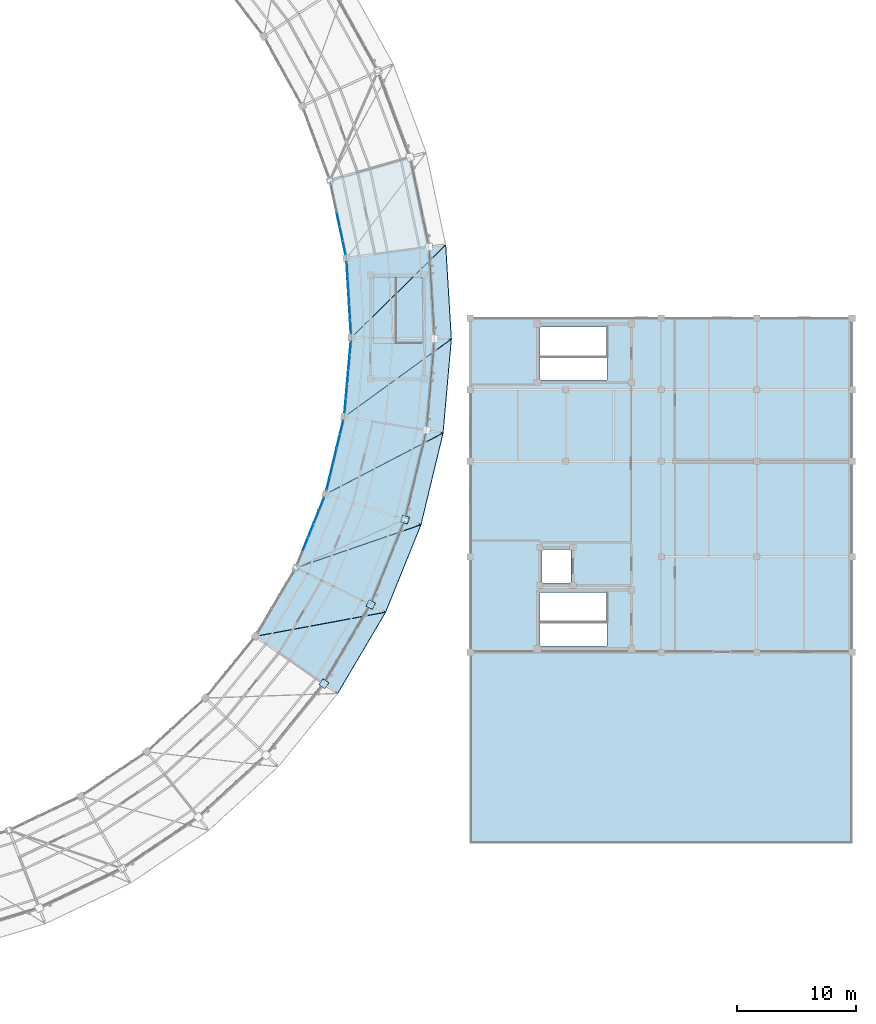
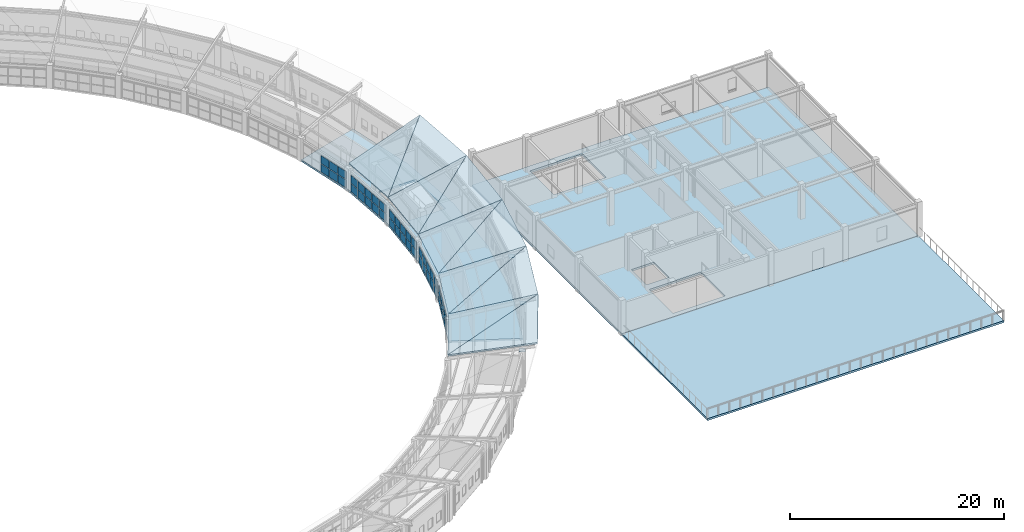
# One storey, part 110 of 149: 47 plates, 13 slabs, 5 elements without a shape of their own.
"""IFC4 building model written with IfcOpenShell, lengths in metres."""

from ifc_helpers import new_model, si_unit, direction, frame, origin, origin_2d, place, context, subcontext, project, spatial, polyline, rectangle, outline, extrude, material, layer, layer_set, type_object, element, aggregate, save


model = new_model("IFC4")

# Units and contexts
model_context = context("Model", 3, precision=1e-05, world=origin(), true_north=direction((0.0, 1.0)))
body_context = subcontext(model_context, "Body", "Model", "MODEL_VIEW")
ifc_project = project(units=[si_unit("LENGTHUNIT", "METRE"), si_unit("AREAUNIT", "SQUARE_METRE"), si_unit("VOLUMEUNIT", "CUBIC_METRE"), si_unit("PLANEANGLEUNIT", "RADIAN"), si_unit("MASSUNIT", "GRAM", prefix="KILO")], contexts=[model_context])

# Site, building, storey
site_placement = place(None, origin())
site = spatial("IfcSite", under=ifc_project, at=site_placement, CompositionType="ELEMENT")
building_placement = place(site_placement, origin())
building = spatial("IfcBuilding", under=site, at=building_placement, Name="Celadon Cloister-Ring School", CompositionType="ELEMENT")
storey_placement = place(building_placement, frame((0.0, 0.0, 12.5)))
storey = spatial("IfcBuildingStorey", under=building, at=storey_placement, Name="L03", CompositionType="ELEMENT", Elevation=12.5)

# Curtain wall, plates
ifc_material_1 = material(Name="Aluminium EN AW-6063 T6", Category="aluminium")
curtain_wall_type = type_object("IfcCurtainWallType", Name="CW-02", PredefinedType="USERDEFINED", material=ifc_material_1)
curtain_wall_1_placement = place(storey_placement, origin())
curtain_wall_1 = element("IfcCurtainWall", 1, at=curtain_wall_1_placement, inside=storey, type_object=curtain_wall_type, Name="Curtain Wall 0069", ObjectType="CURTAIN WALL", PredefinedType="USERDEFINED")
ifc_material_2 = material(Name="Tempered laminated insulating glass", Category="glass")
ifc_layer_1 = layer(ifc_material_2, 0.035888671875)
ifc_layer_set_1 = layer_set([ifc_layer_1], Name="Tempered laminated insulating glass")
plate_type_1 = type_object("IfcPlateType", Name="CPN-03", PredefinedType="CURTAIN_PANEL", material=ifc_layer_set_1)
plate_1_placement = place(storey_placement, frame((128.141357421875, 41.033203125, 0.074951171875), z_axis=(0.0, 0.0, 1.0), x_axis=(0.37497175447, 0.927036236266, 0.0)))
plate_1 = element("IfcPlate", 2, at=plate_1_placement, type_object=plate_type_1, Name="CW-02 panel 2.1", PredefinedType="CURTAIN_PANEL", context=body_context, shape_type="SweptSolid", body=[
    extrude(rectangle(XDim=1.141845703125, YDim=0.035888671875, at=origin_2d()), origin(), (0.0, 0.0, 1.0), 0.8974609375),
])
plate_2_placement = place(storey_placement, frame((128.141357421875, 41.033203125, 1.047607421875), z_axis=(0.0, 0.0, 1.0), x_axis=(0.37497175447, 0.927036236266, 0.0)))
plate_2 = element("IfcPlate", 3, at=plate_2_placement, type_object=plate_type_1, Name="CW-02 panel 2.2", PredefinedType="CURTAIN_PANEL", context=body_context, shape_type="SweptSolid", body=[
    extrude(rectangle(XDim=1.141845703125, YDim=0.035888671875, at=origin_2d()), origin(), (0.0, 0.0, 1.0), 0.8974609375),
])
plate_3_placement = place(storey_placement, frame((128.599609375, 42.166015625, 0.074951171875), z_axis=(0.0, 0.0, 1.0), x_axis=(0.37497175447, 0.927036236266, 0.0)))
plate_3 = element("IfcPlate", 4, at=plate_3_placement, type_object=plate_type_1, Name="CW-02 panel 3.1", PredefinedType="CURTAIN_PANEL", context=body_context, shape_type="SweptSolid", body=[
    extrude(rectangle(XDim=1.141845703125, YDim=0.035888671875, at=origin_2d()), origin(), (0.0, 0.0, 1.0), 0.8974609375),
])
plate_4_placement = place(storey_placement, frame((128.599609375, 42.166015625, 1.047607421875), z_axis=(0.0, 0.0, 1.0), x_axis=(0.37497175447, 0.927036236266, 0.0)))
plate_4 = element("IfcPlate", 5, at=plate_4_placement, type_object=plate_type_1, Name="CW-02 panel 3.2", PredefinedType="CURTAIN_PANEL", context=body_context, shape_type="SweptSolid", body=[
    extrude(rectangle(XDim=1.141845703125, YDim=0.035888671875, at=origin_2d()), origin(), (0.0, 0.0, 1.0), 0.8974609375),
])
plate_5_placement = place(storey_placement, frame((129.0576171875, 43.298828125, 0.074951171875), z_axis=(0.0, 0.0, 1.0), x_axis=(0.37497175447, 0.927036236266, 0.0)))
plate_5 = element("IfcPlate", 6, at=plate_5_placement, type_object=plate_type_1, Name="CW-02 panel 4.1", PredefinedType="CURTAIN_PANEL", context=body_context, shape_type="SweptSolid", body=[
    extrude(rectangle(XDim=1.141845703125, YDim=0.035888671875, at=origin_2d()), origin(), (0.0, 0.0, 1.0), 0.8974609375),
])
plate_6_placement = place(storey_placement, frame((129.0576171875, 43.298828125, 1.047607421875), z_axis=(0.0, 0.0, 1.0), x_axis=(0.37497175447, 0.927036236266, 0.0)))
plate_6 = element("IfcPlate", 7, at=plate_6_placement, type_object=plate_type_1, Name="CW-02 panel 4.2", PredefinedType="CURTAIN_PANEL", context=body_context, shape_type="SweptSolid", body=[
    extrude(rectangle(XDim=1.141845703125, YDim=0.035888671875, at=origin_2d()), origin(), (0.0, 0.0, 1.0), 0.8974609375),
])
plate_7_placement = place(storey_placement, frame((129.50830078125, 44.4130859375, 0.074951171875), z_axis=(0.0, 0.0, 1.0), x_axis=(0.37497175447, 0.927036236266, 0.0)))
plate_7 = element("IfcPlate", 8, at=plate_7_placement, type_object=plate_type_1, Name="CW-02 panel 5.1", PredefinedType="CURTAIN_PANEL", context=body_context, shape_type="SweptSolid", body=[
    extrude(rectangle(XDim=1.10205078125, YDim=0.035888671875, at=origin_2d()), origin(), (0.0, 0.0, 1.0), 0.8974609375),
])
plate_8_placement = place(storey_placement, frame((129.50830078125, 44.4130859375, 1.047607421875), z_axis=(0.0, 0.0, 1.0), x_axis=(0.37497175447, 0.927036236266, 0.0)))
plate_8 = element("IfcPlate", 9, at=plate_8_placement, type_object=plate_type_1, Name="CW-02 panel 5.2", PredefinedType="CURTAIN_PANEL", context=body_context, shape_type="SweptSolid", body=[
    extrude(rectangle(XDim=1.10205078125, YDim=0.035888671875, at=origin_2d()), origin(), (0.0, 0.0, 1.0), 0.8974609375),
])
aggregate(curtain_wall_1, [plate_1, plate_2, plate_3, plate_4, plate_5, plate_6, plate_7, plate_8])

curtain_wall_2_placement = place(storey_placement, origin())
curtain_wall_2 = element("IfcCurtainWall", 10, at=curtain_wall_2_placement, inside=storey, type_object=curtain_wall_type, Name="Curtain Wall 0070", ObjectType="CURTAIN WALL", PredefinedType="USERDEFINED")
plate_9_placement = place(storey_placement, frame((130.062744140625, 46.140380859375, 0.074951171875), z_axis=(0.0, 0.0, 1.0), x_axis=(0.234091088797, 0.972214668757, 0.0)))
plate_9 = element("IfcPlate", 11, at=plate_9_placement, type_object=plate_type_1, Name="CW-02 panel 1.1", PredefinedType="CURTAIN_PANEL", context=body_context, shape_type="SweptSolid", body=[
    extrude(rectangle(XDim=1.101806640625, YDim=0.035888671875, at=origin_2d()), origin(), (0.0, 0.0, 1.0), 0.8974609375),
])
plate_10_placement = place(storey_placement, frame((130.062744140625, 46.140380859375, 1.047607421875), z_axis=(0.0, 0.0, 1.0), x_axis=(0.234091088797, 0.972214668757, 0.0)))
plate_10 = element("IfcPlate", 12, at=plate_10_placement, type_object=plate_type_1, Name="CW-02 panel 1.2", PredefinedType="CURTAIN_PANEL", context=body_context, shape_type="SweptSolid", body=[
    extrude(rectangle(XDim=1.101806640625, YDim=0.035888671875, at=origin_2d()), origin(), (0.0, 0.0, 1.0), 0.8974609375),
])
plate_11_placement = place(storey_placement, frame((130.343994140625, 47.30859375, 0.074951171875), z_axis=(0.0, 0.0, 1.0), x_axis=(0.234091088797, 0.972214668757, 0.0)))
plate_11 = element("IfcPlate", 13, at=plate_11_placement, type_object=plate_type_1, Name="CW-02 panel 2.1", PredefinedType="CURTAIN_PANEL", context=body_context, shape_type="SweptSolid", body=[
    extrude(rectangle(XDim=1.141845703125, YDim=0.035888671875, at=origin_2d()), origin(), (0.0, 0.0, 1.0), 0.8974609375),
])
plate_12_placement = place(storey_placement, frame((130.343994140625, 47.30859375, 1.047607421875), z_axis=(0.0, 0.0, 1.0), x_axis=(0.234091088797, 0.972214668757, 0.0)))
plate_12 = element("IfcPlate", 14, at=plate_12_placement, type_object=plate_type_1, Name="CW-02 panel 2.2", PredefinedType="CURTAIN_PANEL", context=body_context, shape_type="SweptSolid", body=[
    extrude(rectangle(XDim=1.141845703125, YDim=0.035888671875, at=origin_2d()), origin(), (0.0, 0.0, 1.0), 0.8974609375),
])
plate_13_placement = place(storey_placement, frame((130.6298828125, 48.49658203125, 0.074951171875), z_axis=(0.0, 0.0, 1.0), x_axis=(0.234091088797, 0.972214668757, 0.0)))
plate_13 = element("IfcPlate", 15, at=plate_13_placement, type_object=plate_type_1, Name="CW-02 panel 3.1", PredefinedType="CURTAIN_PANEL", context=body_context, shape_type="SweptSolid", body=[
    extrude(rectangle(XDim=1.141845703125, YDim=0.035888671875, at=origin_2d()), origin(), (0.0, 0.0, 1.0), 0.8974609375),
])
plate_14_placement = place(storey_placement, frame((130.6298828125, 48.49658203125, 1.047607421875), z_axis=(0.0, 0.0, 1.0), x_axis=(0.234091088797, 0.972214668757, 0.0)))
plate_14 = element("IfcPlate", 16, at=plate_14_placement, type_object=plate_type_1, Name="CW-02 panel 3.2", PredefinedType="CURTAIN_PANEL", context=body_context, shape_type="SweptSolid", body=[
    extrude(rectangle(XDim=1.141845703125, YDim=0.035888671875, at=origin_2d()), origin(), (0.0, 0.0, 1.0), 0.8974609375),
])
plate_15_placement = place(storey_placement, frame((130.916015625, 49.684326171875, 0.074951171875), z_axis=(0.0, 0.0, 1.0), x_axis=(0.234091088797, 0.972214668757, 0.0)))
plate_15 = element("IfcPlate", 17, at=plate_15_placement, type_object=plate_type_1, Name="CW-02 panel 4.1", PredefinedType="CURTAIN_PANEL", context=body_context, shape_type="SweptSolid", body=[
    extrude(rectangle(XDim=1.141845703125, YDim=0.035888671875, at=origin_2d()), origin(), (0.0, 0.0, 1.0), 0.8974609375),
])
plate_16_placement = place(storey_placement, frame((130.916015625, 49.684326171875, 1.047607421875), z_axis=(0.0, 0.0, 1.0), x_axis=(0.234091088797, 0.972214668757, 0.0)))
plate_16 = element("IfcPlate", 18, at=plate_16_placement, type_object=plate_type_1, Name="CW-02 panel 4.2", PredefinedType="CURTAIN_PANEL", context=body_context, shape_type="SweptSolid", body=[
    extrude(rectangle(XDim=1.141845703125, YDim=0.035888671875, at=origin_2d()), origin(), (0.0, 0.0, 1.0), 0.8974609375),
])
plate_17_placement = place(storey_placement, frame((131.197265625, 50.8525390625, 0.074951171875), z_axis=(0.0, 0.0, 1.0), x_axis=(0.234091088797, 0.972214668757, 0.0)))
plate_17 = element("IfcPlate", 19, at=plate_17_placement, type_object=plate_type_1, Name="CW-02 panel 5.1", PredefinedType="CURTAIN_PANEL", context=body_context, shape_type="SweptSolid", body=[
    extrude(rectangle(XDim=1.101806640625, YDim=0.035888671875, at=origin_2d()), origin(), (0.0, 0.0, 1.0), 0.8974609375),
])
plate_18_placement = place(storey_placement, frame((131.197265625, 50.8525390625, 1.047607421875), z_axis=(0.0, 0.0, 1.0), x_axis=(0.234091088797, 0.972214668757, 0.0)))
plate_18 = element("IfcPlate", 20, at=plate_18_placement, type_object=plate_type_1, Name="CW-02 panel 5.2", PredefinedType="CURTAIN_PANEL", context=body_context, shape_type="SweptSolid", body=[
    extrude(rectangle(XDim=1.101806640625, YDim=0.035888671875, at=origin_2d()), origin(), (0.0, 0.0, 1.0), 0.8974609375),
])
aggregate(curtain_wall_2, [plate_9, plate_10, plate_11, plate_12, plate_13, plate_14, plate_15, plate_16, plate_17, plate_18])

curtain_wall_3_placement = place(storey_placement, origin())
curtain_wall_3 = element("IfcCurtainWall", 21, at=curtain_wall_3_placement, inside=storey, type_object=curtain_wall_type, Name="Curtain Wall 0071", ObjectType="CURTAIN WALL", PredefinedType="USERDEFINED")
plate_19_placement = place(storey_placement, frame((131.489501953125, 52.643310546875, 0.074951171875), z_axis=(0.0, 0.0, 1.0), x_axis=(0.088070576756, 0.996114237179, 0.0)))
plate_19 = element("IfcPlate", 22, at=plate_19_placement, type_object=plate_type_1, Name="CW-02 panel 1.1", PredefinedType="CURTAIN_PANEL", context=body_context, shape_type="SweptSolid", body=[
    extrude(rectangle(XDim=1.101806640625, YDim=0.035888671875, at=origin_2d()), origin(), (0.0, 0.0, 1.0), 0.8974609375),
])
plate_20_placement = place(storey_placement, frame((131.489501953125, 52.643310546875, 1.047607421875), z_axis=(0.0, 0.0, 1.0), x_axis=(0.088070576756, 0.996114237179, 0.0)))
plate_20 = element("IfcPlate", 23, at=plate_20_placement, type_object=plate_type_1, Name="CW-02 panel 1.2", PredefinedType="CURTAIN_PANEL", context=body_context, shape_type="SweptSolid", body=[
    extrude(rectangle(XDim=1.101806640625, YDim=0.035888671875, at=origin_2d()), origin(), (0.0, 0.0, 1.0), 0.8974609375),
])
plate_21_placement = place(storey_placement, frame((131.595458984375, 53.840576171875, 0.074951171875), z_axis=(0.0, 0.0, 1.0), x_axis=(0.088070576756, 0.996114237179, 0.0)))
plate_21 = element("IfcPlate", 24, at=plate_21_placement, type_object=plate_type_1, Name="CW-02 panel 2.1", PredefinedType="CURTAIN_PANEL", context=body_context, shape_type="SweptSolid", body=[
    extrude(rectangle(XDim=1.141845703125, YDim=0.035888671875, at=origin_2d()), origin(), (0.0, 0.0, 1.0), 0.8974609375),
])
plate_22_placement = place(storey_placement, frame((131.595458984375, 53.840576171875, 1.047607421875), z_axis=(0.0, 0.0, 1.0), x_axis=(0.088070576756, 0.996114237179, 0.0)))
plate_22 = element("IfcPlate", 25, at=plate_22_placement, type_object=plate_type_1, Name="CW-02 panel 2.2", PredefinedType="CURTAIN_PANEL", context=body_context, shape_type="SweptSolid", body=[
    extrude(rectangle(XDim=1.141845703125, YDim=0.035888671875, at=origin_2d()), origin(), (0.0, 0.0, 1.0), 0.8974609375),
])
plate_23_placement = place(storey_placement, frame((131.702880859375, 55.0576171875, 0.074951171875), z_axis=(0.0, 0.0, 1.0), x_axis=(0.088070576756, 0.996114237179, 0.0)))
plate_23 = element("IfcPlate", 26, at=plate_23_placement, type_object=plate_type_1, Name="CW-02 panel 3.1", PredefinedType="CURTAIN_PANEL", context=body_context, shape_type="SweptSolid", body=[
    extrude(rectangle(XDim=1.141845703125, YDim=0.035888671875, at=origin_2d()), origin(), (0.0, 0.0, 1.0), 0.8974609375),
])
plate_24_placement = place(storey_placement, frame((131.702880859375, 55.0576171875, 1.047607421875), z_axis=(0.0, 0.0, 1.0), x_axis=(0.088070576756, 0.996114237179, 0.0)))
plate_24 = element("IfcPlate", 27, at=plate_24_placement, type_object=plate_type_1, Name="CW-02 panel 3.2", PredefinedType="CURTAIN_PANEL", context=body_context, shape_type="SweptSolid", body=[
    extrude(rectangle(XDim=1.141845703125, YDim=0.035888671875, at=origin_2d()), origin(), (0.0, 0.0, 1.0), 0.8974609375),
])
plate_25_placement = place(storey_placement, frame((131.810546875, 56.2744140625, 0.074951171875), z_axis=(0.0, 0.0, 1.0), x_axis=(0.088070576756, 0.996114237179, 0.0)))
plate_25 = element("IfcPlate", 28, at=plate_25_placement, type_object=plate_type_1, Name="CW-02 panel 4.1", PredefinedType="CURTAIN_PANEL", context=body_context, shape_type="SweptSolid", body=[
    extrude(rectangle(XDim=1.141845703125, YDim=0.035888671875, at=origin_2d()), origin(), (0.0, 0.0, 1.0), 0.8974609375),
])
plate_26_placement = place(storey_placement, frame((131.810546875, 56.2744140625, 1.047607421875), z_axis=(0.0, 0.0, 1.0), x_axis=(0.088070576756, 0.996114237179, 0.0)))
plate_26 = element("IfcPlate", 29, at=plate_26_placement, type_object=plate_type_1, Name="CW-02 panel 4.2", PredefinedType="CURTAIN_PANEL", context=body_context, shape_type="SweptSolid", body=[
    extrude(rectangle(XDim=1.141845703125, YDim=0.035888671875, at=origin_2d()), origin(), (0.0, 0.0, 1.0), 0.8974609375),
])
plate_27_placement = place(storey_placement, frame((131.91650390625, 57.4716796875, 0.074951171875), z_axis=(0.0, 0.0, 1.0), x_axis=(0.088070576756, 0.996114237179, 0.0)))
plate_27 = element("IfcPlate", 30, at=plate_27_placement, type_object=plate_type_1, Name="CW-02 panel 5.1", PredefinedType="CURTAIN_PANEL", context=body_context, shape_type="SweptSolid", body=[
    extrude(rectangle(XDim=1.101806640625, YDim=0.035888671875, at=origin_2d()), origin(), (0.0, 0.0, 1.0), 0.8974609375),
])
plate_28_placement = place(storey_placement, frame((131.91650390625, 57.4716796875, 1.047607421875), z_axis=(0.0, 0.0, 1.0), x_axis=(0.088070576756, 0.996114237179, 0.0)))
plate_28 = element("IfcPlate", 31, at=plate_28_placement, type_object=plate_type_1, Name="CW-02 panel 5.2", PredefinedType="CURTAIN_PANEL", context=body_context, shape_type="SweptSolid", body=[
    extrude(rectangle(XDim=1.101806640625, YDim=0.035888671875, at=origin_2d()), origin(), (0.0, 0.0, 1.0), 0.8974609375),
])
aggregate(curtain_wall_3, [plate_19, plate_20, plate_21, plate_22, plate_23, plate_24, plate_25, plate_26, plate_27, plate_28])

curtain_wall_4_placement = place(storey_placement, origin())
curtain_wall_4 = element("IfcCurtainWall", 32, at=curtain_wall_4_placement, inside=storey, type_object=curtain_wall_type, Name="Curtain Wall 0072", ObjectType="CURTAIN WALL", PredefinedType="USERDEFINED")
plate_29_placement = place(storey_placement, frame((131.94091796875, 59.28564453125, 0.074951171875), z_axis=(0.0, 0.0, 1.0), x_axis=(-0.060238065975, 0.998184038846, 0.0)))
plate_29 = element("IfcPlate", 33, at=plate_29_placement, type_object=plate_type_1, Name="CW-02 panel 1.1", PredefinedType="CURTAIN_PANEL", context=body_context, shape_type="SweptSolid", body=[
    extrude(rectangle(XDim=1.101806640625, YDim=0.035888671875, at=origin_2d()), origin(), (0.0, 0.0, 1.0), 0.8974609375),
])
plate_30_placement = place(storey_placement, frame((131.94091796875, 59.28564453125, 1.047607421875), z_axis=(0.0, 0.0, 1.0), x_axis=(-0.060238065975, 0.998184038846, 0.0)))
plate_30 = element("IfcPlate", 34, at=plate_30_placement, type_object=plate_type_1, Name="CW-02 panel 1.2", PredefinedType="CURTAIN_PANEL", context=body_context, shape_type="SweptSolid", body=[
    extrude(rectangle(XDim=1.101806640625, YDim=0.035888671875, at=origin_2d()), origin(), (0.0, 0.0, 1.0), 0.8974609375),
])
plate_31_placement = place(storey_placement, frame((131.86865234375, 60.4853515625, 0.074951171875), z_axis=(0.0, 0.0, 1.0), x_axis=(-0.060238065975, 0.998184038846, 0.0)))
plate_31 = element("IfcPlate", 35, at=plate_31_placement, type_object=plate_type_1, Name="CW-02 panel 2.1", PredefinedType="CURTAIN_PANEL", context=body_context, shape_type="SweptSolid", body=[
    extrude(rectangle(XDim=1.141845703125, YDim=0.035888671875, at=origin_2d()), origin(), (0.0, 0.0, 1.0), 0.8974609375),
])
plate_32_placement = place(storey_placement, frame((131.86865234375, 60.4853515625, 1.047607421875), z_axis=(0.0, 0.0, 1.0), x_axis=(-0.060238065975, 0.998184038846, 0.0)))
plate_32 = element("IfcPlate", 36, at=plate_32_placement, type_object=plate_type_1, Name="CW-02 panel 2.2", PredefinedType="CURTAIN_PANEL", context=body_context, shape_type="SweptSolid", body=[
    extrude(rectangle(XDim=1.141845703125, YDim=0.035888671875, at=origin_2d()), origin(), (0.0, 0.0, 1.0), 0.8974609375),
])
plate_33_placement = place(storey_placement, frame((131.794921875, 61.705078125, 0.074951171875), z_axis=(0.0, 0.0, 1.0), x_axis=(-0.060238065975, 0.998184038846, 0.0)))
plate_33 = element("IfcPlate", 37, at=plate_33_placement, type_object=plate_type_1, Name="CW-02 panel 3.1", PredefinedType="CURTAIN_PANEL", context=body_context, shape_type="SweptSolid", body=[
    extrude(rectangle(XDim=1.141845703125, YDim=0.035888671875, at=origin_2d()), origin(), (0.0, 0.0, 1.0), 0.8974609375),
])
plate_34_placement = place(storey_placement, frame((131.794921875, 61.705078125, 1.047607421875), z_axis=(0.0, 0.0, 1.0), x_axis=(-0.060238065975, 0.998184038846, 0.0)))
plate_34 = element("IfcPlate", 38, at=plate_34_placement, type_object=plate_type_1, Name="CW-02 panel 3.2", PredefinedType="CURTAIN_PANEL", context=body_context, shape_type="SweptSolid", body=[
    extrude(rectangle(XDim=1.141845703125, YDim=0.035888671875, at=origin_2d()), origin(), (0.0, 0.0, 1.0), 0.8974609375),
])
plate_35_placement = place(storey_placement, frame((131.721435546875, 62.924560546875, 0.074951171875), z_axis=(0.0, 0.0, 1.0), x_axis=(-0.060238065975, 0.998184038846, 0.0)))
plate_35 = element("IfcPlate", 39, at=plate_35_placement, type_object=plate_type_1, Name="CW-02 panel 4.1", PredefinedType="CURTAIN_PANEL", context=body_context, shape_type="SweptSolid", body=[
    extrude(rectangle(XDim=1.141845703125, YDim=0.035888671875, at=origin_2d()), origin(), (0.0, 0.0, 1.0), 0.8974609375),
])
plate_36_placement = place(storey_placement, frame((131.721435546875, 62.924560546875, 1.047607421875), z_axis=(0.0, 0.0, 1.0), x_axis=(-0.060238065975, 0.998184038846, 0.0)))
plate_36 = element("IfcPlate", 40, at=plate_36_placement, type_object=plate_type_1, Name="CW-02 panel 4.2", PredefinedType="CURTAIN_PANEL", context=body_context, shape_type="SweptSolid", body=[
    extrude(rectangle(XDim=1.141845703125, YDim=0.035888671875, at=origin_2d()), origin(), (0.0, 0.0, 1.0), 0.8974609375),
])
plate_37_placement = place(storey_placement, frame((131.64892578125, 64.124267578125, 0.074951171875), z_axis=(0.0, 0.0, 1.0), x_axis=(-0.060238065975, 0.998184038846, 0.0)))
plate_37 = element("IfcPlate", 41, at=plate_37_placement, type_object=plate_type_1, Name="CW-02 panel 5.1", PredefinedType="CURTAIN_PANEL", context=body_context, shape_type="SweptSolid", body=[
    extrude(rectangle(XDim=1.101806640625, YDim=0.035888671875, at=origin_2d()), origin(), (0.0, 0.0, 1.0), 0.8974609375),
])
plate_38_placement = place(storey_placement, frame((131.64892578125, 64.124267578125, 1.047607421875), z_axis=(0.0, 0.0, 1.0), x_axis=(-0.060238065975, 0.998184038846, 0.0)))
plate_38 = element("IfcPlate", 42, at=plate_38_placement, type_object=plate_type_1, Name="CW-02 panel 5.2", PredefinedType="CURTAIN_PANEL", context=body_context, shape_type="SweptSolid", body=[
    extrude(rectangle(XDim=1.101806640625, YDim=0.035888671875, at=origin_2d()), origin(), (0.0, 0.0, 1.0), 0.8974609375),
])
aggregate(curtain_wall_4, [plate_29, plate_30, plate_31, plate_32, plate_33, plate_34, plate_35, plate_36, plate_37, plate_38])

curtain_wall_5_placement = place(storey_placement, origin())
curtain_wall_5 = element("IfcCurtainWall", 43, at=curtain_wall_5_placement, inside=storey, type_object=curtain_wall_type, Name="Curtain Wall 0073", ObjectType="CURTAIN WALL", PredefinedType="USERDEFINED")
plate_39_placement = place(storey_placement, frame((131.4052734375, 65.92236328125, 0.074951171875), z_axis=(0.0, 0.0, 1.0), x_axis=(-0.207058016061, 0.978328665626, 0.0)))
plate_39 = element("IfcPlate", 44, at=plate_39_placement, type_object=plate_type_1, Name="CW-02 panel 1.1", PredefinedType="CURTAIN_PANEL", context=body_context, shape_type="SweptSolid", body=[
    extrude(rectangle(XDim=1.101806640625, YDim=0.035888671875, at=origin_2d()), origin(), (0.0, 0.0, 1.0), 0.8974609375),
])
plate_40_placement = place(storey_placement, frame((131.4052734375, 65.92236328125, 1.047607421875), z_axis=(0.0, 0.0, 1.0), x_axis=(-0.207058016061, 0.978328665626, 0.0)))
plate_40 = element("IfcPlate", 45, at=plate_40_placement, type_object=plate_type_1, Name="CW-02 panel 1.2", PredefinedType="CURTAIN_PANEL", context=body_context, shape_type="SweptSolid", body=[
    extrude(rectangle(XDim=1.101806640625, YDim=0.035888671875, at=origin_2d()), origin(), (0.0, 0.0, 1.0), 0.8974609375),
])
plate_41_placement = place(storey_placement, frame((131.156494140625, 67.09814453125, 0.074951171875), z_axis=(0.0, 0.0, 1.0), x_axis=(-0.207058016061, 0.978328665626, 0.0)))
plate_41 = element("IfcPlate", 46, at=plate_41_placement, type_object=plate_type_1, Name="CW-02 panel 2.1", PredefinedType="CURTAIN_PANEL", context=body_context, shape_type="SweptSolid", body=[
    extrude(rectangle(XDim=1.141845703125, YDim=0.035888671875, at=origin_2d()), origin(), (0.0, 0.0, 1.0), 0.8974609375),
])
plate_42_placement = place(storey_placement, frame((131.156494140625, 67.09814453125, 1.047607421875), z_axis=(0.0, 0.0, 1.0), x_axis=(-0.207058016061, 0.978328665626, 0.0)))
plate_42 = element("IfcPlate", 47, at=plate_42_placement, type_object=plate_type_1, Name="CW-02 panel 2.2", PredefinedType="CURTAIN_PANEL", context=body_context, shape_type="SweptSolid", body=[
    extrude(rectangle(XDim=1.141845703125, YDim=0.035888671875, at=origin_2d()), origin(), (0.0, 0.0, 1.0), 0.8974609375),
])
plate_43_placement = place(storey_placement, frame((130.903564453125, 68.29345703125, 0.074951171875), z_axis=(0.0, 0.0, 1.0), x_axis=(-0.207058016061, 0.978328665626, 0.0)))
plate_43 = element("IfcPlate", 48, at=plate_43_placement, type_object=plate_type_1, Name="CW-02 panel 3.1", PredefinedType="CURTAIN_PANEL", context=body_context, shape_type="SweptSolid", body=[
    extrude(rectangle(XDim=1.141845703125, YDim=0.035888671875, at=origin_2d()), origin(), (0.0, 0.0, 1.0), 0.8974609375),
])
plate_44_placement = place(storey_placement, frame((130.903564453125, 68.29345703125, 1.047607421875), z_axis=(0.0, 0.0, 1.0), x_axis=(-0.207058016061, 0.978328665626, 0.0)))
plate_44 = element("IfcPlate", 49, at=plate_44_placement, type_object=plate_type_1, Name="CW-02 panel 3.2", PredefinedType="CURTAIN_PANEL", context=body_context, shape_type="SweptSolid", body=[
    extrude(rectangle(XDim=1.141845703125, YDim=0.035888671875, at=origin_2d()), origin(), (0.0, 0.0, 1.0), 0.8974609375),
])
aggregate(curtain_wall_5, [plate_39, plate_40, plate_41, plate_42, plate_43, plate_44])

# Plates
ifc_material_3 = material(Name="Structural steel S355JR", Category="steel")
ifc_layer_2 = layer(ifc_material_3, 0.02001953125)
ifc_layer_set_2 = layer_set([ifc_layer_2], Name="Structural steel S355JR")
plate_type_2 = type_object("IfcPlateType", Name="PT-01", PredefinedType="SHEET", material=ifc_layer_set_2)
for number, where, z_axis, x_axis, name in (
    (50, (129.7119140625, 29.341064453125, 4.041015625), (0.0, 0.0, 1.0), (0.821388197028, -0.57036955545, 0.0), "Gusset Plate 0027"),
    (51, (133.625, 35.97705078125, 4.0390625), (0.0, 0.0, 1.0), (0.896641036785, -0.442758231039, 0.0), "Gusset Plate 0028"),
    (52, (136.514892578125, 43.117919921875, 4.041015625), (0.0, 0.0, 1.0), (0.95221472185, -0.305429408362, 0.0), "Gusset Plate 0029"),
):
    element("IfcPlate", number, at=place(storey_placement, frame(where, z_axis=z_axis, x_axis=x_axis)), inside=storey, type_object=plate_type_2, Name=name, PredefinedType="SHEET", context=body_context, shape_type="SweptSolid", body=[
        extrude(rectangle(XDim=0.60009765625, YDim=0.60009765625, at=origin_2d()), origin(), (0.0, 0.0, 1.0), 0.02001953125),
    ])

# Slabs
ifc_material_4 = material(Name="Concrete C35/45", Category="concrete")
ifc_layer_3 = layer(ifc_material_4, 0.199951171875)
ifc_layer_set_3 = layer_set([ifc_layer_3], Name="Concrete C35/45")
slab_type_1 = type_object("IfcSlabType", Name="SL-FL1", PredefinedType="FLOOR", material=ifc_layer_set_3)
slab_1_placement = place(storey_placement, frame((0.0, 0.0, -0.199951171875)))
element("IfcSlab", 53, at=slab_1_placement, inside=storey, type_object=slab_type_1, Name="Ring L03 Sector 0027", PredefinedType="FLOOR", context=body_context, shape_type="SweptSolid", body=[
    extrude(outline(polyline([(127.34912109375, 39.075927734375), (129.85009765625, 45.256103515625), (131.409912109375, 51.737060546875), (131.99609375, 58.3779296875), (131.593994140625, 65.031982421875), (130.212890625, 71.554931640625), (136.93505859375, 73.508056640625), (138.531005859375, 65.970947265625), (138.9951171875, 58.281005859375), (138.318115234375, 50.60693359375), (136.514892578125, 43.117919921875), (133.625, 35.97705078125), (127.34912109375, 39.075927734375)]), holes=[polyline([(133.85009765625, 57.9150390625), (137.929931640625, 57.9150390625), (137.929931640625, 63.39990234375), (133.85009765625, 63.39990234375), (133.85009765625, 57.9150390625)])]), origin(), (0.0, 0.0, 1.0), 0.199951171875),
])
ifc_material_5 = material(Name="Concrete C35/45", Category="concrete")
ifc_layer_4 = layer(ifc_material_5, 0.239990234375)
ifc_layer_set_4 = layer_set([ifc_layer_4], Name="Concrete C35/45")
slab_type_2 = type_object("IfcSlabType", Name="SL-FL3", PredefinedType="FLOOR", material=ifc_layer_set_4)
slab_2_placement = place(storey_placement, frame((0.0, 0.0, -0.239990234375)))
element("IfcSlab", 54, at=slab_2_placement, inside=storey, type_object=slab_type_2, Name="Culinary Innovation Upper Slab 0068", PredefinedType="FLOOR", context=body_context, shape_type="SweptSolid", body=[
    extrude(outline(polyline([(142.0, 60.0), (174.0, 60.0), (174.0, 32.0), (142.0, 32.0), (142.0, 60.0)]), holes=[polyline([(153.4599609375, 32.52001953125), (153.4599609375, 36.97998046875), (147.820068359375, 36.97998046875), (147.820068359375, 32.52001953125), (153.4599609375, 32.52001953125)]), polyline([(150.419921875, 37.780029296875), (150.419921875, 40.6201171875), (147.97998046875, 40.6201171875), (147.97998046875, 37.780029296875), (150.419921875, 37.780029296875)]), polyline([(153.4599609375, 54.820068359375), (153.4599609375, 59.280029296875), (147.820068359375, 59.280029296875), (147.820068359375, 54.820068359375), (153.4599609375, 54.820068359375)])]), origin(), (0.0, 0.0, 1.0), 0.239990234375),
])
ifc_material_6 = material(Name="Concrete C35/45", Category="concrete")
ifc_layer_5 = layer(ifc_material_6, 0.179931640625)
ifc_layer_set_5 = layer_set([ifc_layer_5], Name="Concrete C35/45")
slab_type_3 = type_object("IfcSlabType", Name="SL-RF1", PredefinedType="ROOF", material=ifc_layer_set_5)
slab_3_placement = place(storey_placement, frame((123.9619140625, 33.3330078125, 3.10009765625), z_axis=(-0.19051264912, 0.112352913585, 0.97523420435), x_axis=(0.801176356801, -0.556285066194, 0.22059775709)))
element("IfcSlab", 55, at=slab_3_placement, inside=storey, type_object=slab_type_3, Name="Conical Upper Roof Inner Tri 0099", PredefinedType="ROOF", context=body_context, shape_type="SweptSolid", body=[
    extrude(outline(polyline([(0.0, 0.0), (8.61251886155343, -3.469446951953614e-17), (8.041430933794313, 7.8911337166498035), (0.0, 0.0)])), origin(), (0.0, 0.0, -1.0), 0.179931640625),
])
slab_4_placement = place(storey_placement, frame((123.9619140625, 33.3330078125, 3.10009765625), z_axis=(-0.190514862134, 0.112366755824, 0.975232177223), x_axis=(0.969170947778, 0.17964062956, 0.16863249448)))
element("IfcSlab", 56, at=slab_4_placement, inside=storey, type_object=slab_type_3, Name="Conical Upper Roof Outer Tri 0100", PredefinedType="ROOF", context=body_context, shape_type="SweptSolid", body=[
    extrude(outline(polyline([(0.0, 0.0), (11.266525764273181, -1.6653345369377348e-16), (4.314444399075913, 5.083293246400476), (0.0, 0.0)])), origin(), (0.0, 0.0, -1.0), 0.179931640625),
])
slab_5_placement = place(storey_placement, frame((127.34912109375, 39.075927734375, 3.10009765625), z_axis=(-0.205037589542, 0.08295434772, 0.975232363629), x_axis=(0.874563475916, -0.431824752152, 0.22060396647)))
element("IfcSlab", 57, at=slab_5_placement, inside=storey, type_object=slab_type_3, Name="Conical Upper Roof Inner Tri 0103", PredefinedType="ROOF", context=body_context, shape_type="SweptSolid", body=[
    extrude(outline(polyline([(0.0, 0.0), (8.612276443381495, -1.0061396160665481e-16), (8.040354349559665, 7.889727016462247), (0.0, 0.0)])), origin(), (0.0, 0.0, -1.0), 0.179931640625),
])
slab_6_placement = place(storey_placement, frame((127.34912109375, 39.075927734375, 3.10009765625), z_axis=(-0.205044748177, 0.082976945577, 0.97522893607), x_axis=(0.932001038623, 0.320824393059, 0.168658746659)))
element("IfcSlab", 58, at=slab_6_placement, inside=storey, type_object=slab_type_3, Name="Conical Upper Roof Outer Tri 0104", PredefinedType="ROOF", context=body_context, shape_type="SweptSolid", body=[
    extrude(outline(polyline([(0.0, 0.0), (11.264772099815305, 9.43689570931383e-16), (4.313663897840382, 5.083479146194257), (0.0, 0.0)])), origin(), (0.0, 0.0, -1.0), 0.179931640625),
])
slab_7_placement = place(storey_placement, frame((129.85009765625, 45.256103515625, 3.10009765625), z_axis=(-0.215052763103, 0.051785235086, 0.975228485284), x_axis=(0.928724295872, -0.297988982384, 0.220621278747)))
element("IfcSlab", 59, at=slab_7_placement, inside=storey, type_object=slab_type_3, Name="Conical Upper Roof Inner Tri 0107", PredefinedType="ROOF", context=body_context, shape_type="SweptSolid", body=[
    extrude(outline(polyline([(0.0, 0.0), (8.611600633178185, 5.551115123125783e-17), (8.039763620592662, 7.890314893592759), (0.0, 0.0)])), origin(), (0.0, 0.0, -1.0), 0.179931640625),
])
slab_8_placement = place(storey_placement, frame((129.85009765625, 45.256103515625, 3.10009765625), z_axis=(-0.215037747941, 0.051754545754, 0.975233425368), x_axis=(0.874395154621, 0.454958559569, 0.168658894368)))
element("IfcSlab", 60, at=slab_8_placement, inside=storey, type_object=slab_type_3, Name="Conical Upper Roof Outer Tri 0108", PredefinedType="ROOF", context=body_context, shape_type="SweptSolid", body=[
    extrude(outline(polyline([(0.0, 0.0), (11.264762234288701, 1.1102230246251565e-16), (4.312461075487554, 5.08315892349346), (0.0, 0.0)])), origin(), (0.0, 0.0, -1.0), 0.179931640625),
])
slab_9_placement = place(storey_placement, frame((131.409912109375, 51.737060546875, 3.10009765625), z_axis=(-0.220324493984, 0.019431965129, 0.975233057316), x_axis=(0.962572978891, -0.157442876804, 0.220601452519)))
element("IfcSlab", 61, at=slab_9_placement, inside=storey, type_object=slab_type_3, Name="Conical Upper Roof Inner Tri 0111", PredefinedType="ROOF", context=body_context, shape_type="SweptSolid", body=[
    extrude(outline(polyline([(0.0, 0.0), (8.612374588007592, 3.7816971776294395e-16), (8.040643437535616, 7.890765996043073), (0.0, 0.0)])), origin(), (0.0, 0.0, -1.0), 0.179931640625),
])
slab_10_placement = place(storey_placement, frame((131.409912109375, 51.737060546875, 3.10009765625), z_axis=(-0.220336098321, 0.019448806002, 0.975230099885), x_axis=(0.797562736686, 0.579182721535, 0.168644763114)))
element("IfcSlab", 62, at=slab_10_placement, inside=storey, type_object=slab_type_3, Name="Conical Upper Roof Outer Tri 0112", PredefinedType="ROOF", context=body_context, shape_type="SweptSolid", body=[
    extrude(outline(polyline([(0.0, 0.0), (11.265706142710018, -1.6653345369377348e-16), (4.313793295717654, 5.082906576018555), (0.0, 0.0)])), origin(), (0.0, 0.0, -1.0), 0.179931640625),
])
slab_11_placement = place(storey_placement, frame((131.99609375, 58.3779296875, 3.10009765625), z_axis=(-0.220788866311, -0.013337706201, 0.975230425134), x_axis=(0.975268395709, -0.013465859193, 0.220613297349)))
element("IfcSlab", 63, at=slab_11_placement, inside=storey, type_object=slab_type_3, Name="Conical Upper Roof Inner Tri 0115", PredefinedType="ROOF", context=body_context, shape_type="SweptSolid", body=[
    extrude(outline(polyline([(0.0, 0.0), (8.611912185613024, -1.734723475976807e-17), (8.04032011367059, 7.890693067452564), (0.0, 0.0)])), origin(), (0.0, 0.0, -1.0), 0.179931640625),
])
slab_12_placement = place(storey_placement, frame((131.99609375, 58.3779296875, 3.10009765625), z_axis=(-0.220784968192, -0.013341876449, 0.975231250603), x_axis=(0.703202541725, 0.690697984693, 0.168648982363)))
element("IfcSlab", 64, at=slab_12_placement, inside=storey, type_object=slab_type_3, Name="Conical Upper Roof Outer Tri 0116", PredefinedType="ROOF", context=body_context, shape_type="SweptSolid", body=[
    extrude(outline(polyline([(0.0, 0.0), (11.265424298047538, -2.7755575615628914e-16), (4.313183346335732, 5.08277004286), (0.0, 0.0)])), origin(), (0.0, 0.0, -1.0), 0.179931640625),
])
ifc_material_7 = material(Name="Concrete C35/45", Category="concrete")
ifc_layer_6 = layer(ifc_material_7, 0.219970703125)
ifc_layer_set_6 = layer_set([ifc_layer_6], Name="Concrete C35/45")
slab_type_4 = type_object("IfcSlabType", Name="SL-TR1", PredefinedType="FLOOR", material=ifc_layer_set_6)
slab_13_placement = place(storey_placement, frame((0.0, 0.0, -0.219970703125)))
element("IfcSlab", 65, at=slab_13_placement, inside=storey, type_object=slab_type_4, Name="Senior Workshop Terrace 0069", PredefinedType="FLOOR", context=body_context, shape_type="SweptSolid", body=[
    extrude(outline(polyline([(142.0, 16.0), (174.0, 16.0), (174.0, 32.0), (142.0, 32.0), (142.0, 16.0)])), origin(), (0.0, 0.0, 1.0), 0.219970703125),
])

save(model, "model.ifc")
